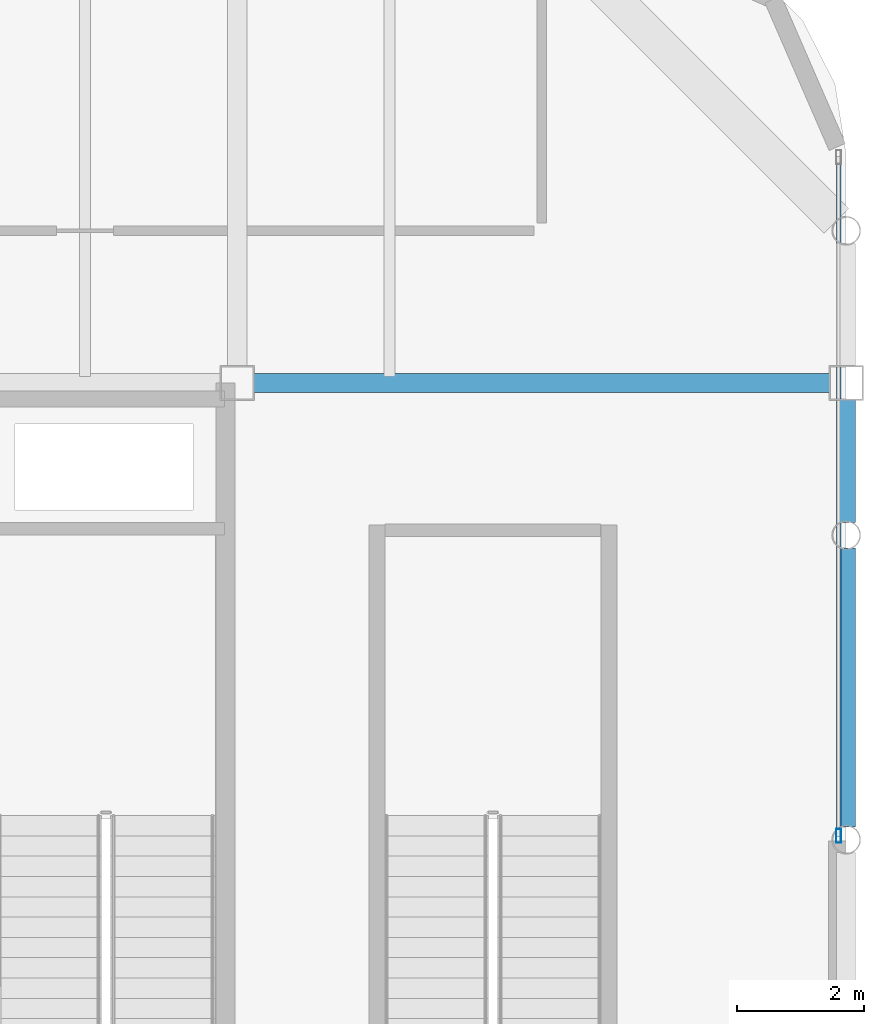
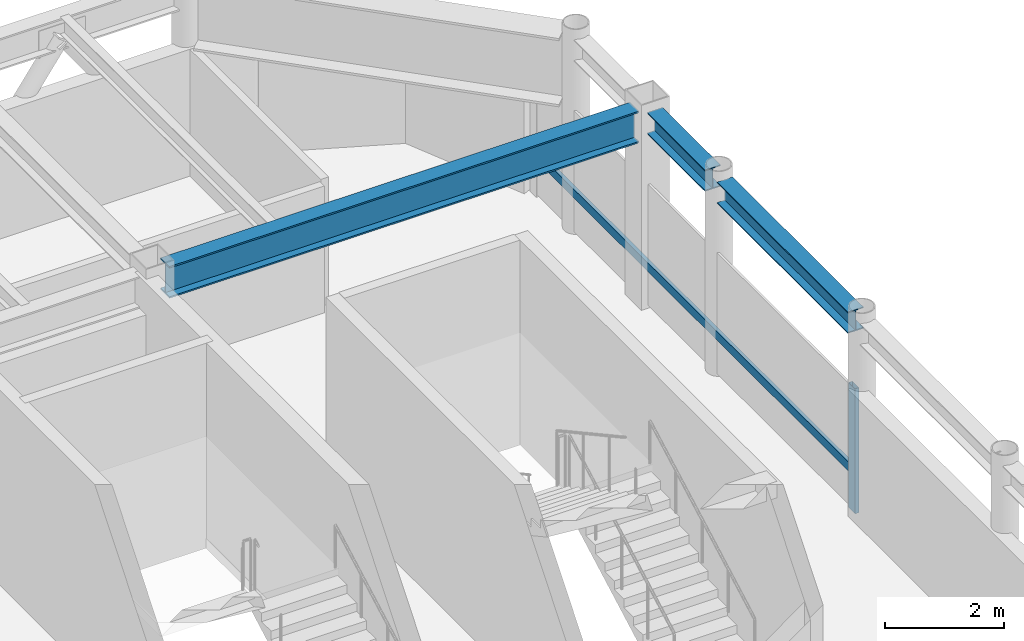
# One storey, part 11 of 21: 3 beams, 2 members, 1 element without a shape of its own.
"""IFC4 building model written with IfcOpenShell, lengths in metres."""

from ifc_helpers import new_model, si_unit, direction, frame, origin, origin_2d, place, context, subcontext, project, spatial, hollow_rectangle, i_section, extrude, material, layer, layer_set, material_profile, profile_set, type_object, element, aggregate, save


model = new_model("IFC4")

# Units and contexts
model_context = context("Model", 3, precision=1e-05, world=origin(), true_north=direction((0.0, 1.0)))
body_context = subcontext(model_context, "Body", "Model", "MODEL_VIEW")
ifc_project = project(units=[si_unit("LENGTHUNIT", "METRE"), si_unit("AREAUNIT", "SQUARE_METRE"), si_unit("VOLUMEUNIT", "CUBIC_METRE"), si_unit("PLANEANGLEUNIT", "RADIAN"), si_unit("MASSUNIT", "GRAM", prefix="KILO")], contexts=[model_context])

# Site, building, storey
site_placement = place(None, origin())
site = spatial("IfcSite", under=ifc_project, at=site_placement, CompositionType="ELEMENT")
building_placement = place(site_placement, origin())
building = spatial("IfcBuilding", under=site, at=building_placement, Name="Kallvorn Hotel Tower", CompositionType="ELEMENT")
storey_placement = place(building_placement, frame((0.0, 0.0, 286.39990234375)))
storey = spatial("IfcBuildingStorey", under=building, at=storey_placement, Name="L71", CompositionType="ELEMENT", Elevation=286.39990234375)

# Beams
ifc_material_1 = material(Name="Structural steel S355JR", Category="steel")
ifc_material_profile_1 = material_profile(ifc_material_1, i_section(OverallWidth=0.300048828125, OverallDepth=0.43994140625, WebThickness=0.011474609375, FlangeThickness=0.02099609375, at=origin_2d()), Name="HE 450 A")
ifc_profile_set_1 = profile_set([ifc_material_profile_1], Name="Structural steel S355JR")
beam_type_1 = type_object("IfcBeamType", Name="BM_HE450A", PredefinedType="BEAM", material=ifc_profile_set_1)
beam_1_placement = place(storey_placement, frame((24.0, 0.20361328125, 3.780029296875), z_axis=(0.0, 1.0, 0.0), x_axis=(-1.0, 0.0, 0.0)))
element("IfcBeam", 1, at=beam_1_placement, inside=storey, type_object=beam_type_1, Name="L72 Primary Y-Girder 51", PredefinedType="BEAM", context=body_context, shape_type="SweptSolid", body=[
    extrude(i_section(OverallWidth=0.300048828125, OverallDepth=0.43994140625, WebThickness=0.011474609375, FlangeThickness=0.02099609375, at=origin_2d()), origin(), (0.0, 0.0, 1.0), 4.392822265625),
])
beam_2_placement = place(storey_placement, frame((24.0, 5.00341796875, 3.780029296875), z_axis=(0.0, 1.0, 0.0), x_axis=(-1.0, 0.0, 0.0)))
element("IfcBeam", 2, at=beam_2_placement, inside=storey, type_object=beam_type_1, Name="L72 Primary Y-Girder 52", PredefinedType="BEAM", context=body_context, shape_type="SweptSolid", body=[
    extrude(i_section(OverallWidth=0.300048828125, OverallDepth=0.43994140625, WebThickness=0.011474609375, FlangeThickness=0.02099609375, at=origin_2d()), origin(), (0.0, 0.0, 1.0), 1.946533203125),
])
ifc_material_2 = material(Name="Structural steel S355JR", Category="steel")
ifc_material_profile_2 = material_profile(ifc_material_2, i_section(OverallWidth=0.300048828125, OverallDepth=0.64990234375, WebThickness=0.01611328125, FlangeThickness=0.031005859375, at=origin_2d()), Name="HE 650 B")
ifc_profile_set_2 = profile_set([ifc_material_profile_2], Name="Structural steel S355JR")
beam_type_2 = type_object("IfcBeamType", Name="BM_HE650B", PredefinedType="BEAM", material=ifc_profile_set_2)
beam_3_placement = place(storey_placement, frame((14.64990234375, 7.199951171875, 3.675048828125), z_axis=(1.0, 0.0, 0.0), x_axis=(0.0, 1.0, 0.0)))
element("IfcBeam", 3, at=beam_3_placement, inside=storey, type_object=beam_type_2, Name="L72 Primary X-Girder 15", PredefinedType="BEAM", context=body_context, shape_type="SweptSolid", body=[
    extrude(i_section(OverallWidth=0.300048828125, OverallDepth=0.64990234375, WebThickness=0.01611328125, FlangeThickness=0.031005859375, at=origin_2d()), origin(), (0.0, 0.0, 1.0), 9.10009765625),
])

# Curtain wall, members
ifc_material_3 = material(Name="Thermally broken black-anodised aluminium AA 6063-T6", Category="aluminium")
ifc_layer = layer(ifc_material_3, 0.25)
ifc_layer_set = layer_set([ifc_layer], Name="CW_SYS_6_SUMMIT_OBS")
curtain_wall_type = type_object("IfcCurtainWallType", Name="CW_SYS_6_SUMMIT_OBS", PredefinedType="USERDEFINED", material=ifc_layer_set)
curtain_wall_placement = place(storey_placement, origin())
curtain_wall = element("IfcCurtainWall", 4, at=curtain_wall_placement, inside=storey, type_object=curtain_wall_type, Name="L71 Dark-Glass Curtain Wall CW-L71-EN", ObjectType="UNITISED CURTAIN WALL", PredefinedType="USERDEFINED")
ifc_material_4 = material(Name="Thermally broken black-anodised aluminium AA 6063-T6", Category="aluminium")
ifc_material_profile_3 = material_profile(ifc_material_4, hollow_rectangle(XDim=0.080078125, YDim=0.219970703125, WallThickness=0.0048828125, at=origin_2d()), Name="MUL 220x80")
ifc_profile_set_3 = profile_set([ifc_material_profile_3], Name="Thermally broken black-anodised aluminium AA 6063-T6")
member_type_1 = type_object("IfcMemberType", Name="CW_MULLION_220x80", PredefinedType="MULLION", material=ifc_profile_set_3)
member_1_placement = place(storey_placement, frame((23.8798828125, 0.06005859375, 0.02001953125), z_axis=(0.0, 0.0, 1.0), x_axis=(1.0, 0.0, 0.0)))
member_1 = element("IfcMember", 5, at=member_1_placement, type_object=member_type_1, Name="CW-L71-EN Mullion 00", PredefinedType="MULLION", context=body_context, shape_type="SweptSolid", body=[
    extrude(hollow_rectangle(XDim=0.080078125, YDim=0.219970703125, WallThickness=0.0048828125, at=origin_2d()), origin(), (0.0, 0.0, 1.0), 2.56005859375),
])
ifc_material_5 = material(Name="Thermally broken black-anodised aluminium AA 6063-T6", Category="aluminium")
ifc_material_profile_4 = material_profile(ifc_material_5, hollow_rectangle(XDim=0.070068359375, YDim=0.179931640625, WallThickness=0.00390625, at=origin_2d()), Name="TRN 180x70")
ifc_profile_set_4 = profile_set([ifc_material_profile_4], Name="Thermally broken black-anodised aluminium AA 6063-T6")
member_type_2 = type_object("IfcMemberType", Name="CW_TRANSOM_180x70", PredefinedType="USERDEFINED", material=ifc_profile_set_4)
member_2_placement = place(storey_placement, frame((23.8798828125, 0.06005859375, 0.85009765625), z_axis=(0.0, 1.0, 0.0), x_axis=(-1.0, 0.0, 0.0)))
member_2 = element("IfcMember", 6, at=member_2_placement, type_object=member_type_2, Name="CW-L71-EN Transom 00M", ObjectType="TRANSOM", PredefinedType="USERDEFINED", context=body_context, shape_type="SweptSolid", body=[
    extrude(hollow_rectangle(XDim=0.070068359375, YDim=0.179931640625, WallThickness=0.00390625, at=origin_2d()), origin(), (0.0, 0.0, 1.0), 10.699951171875),
])
aggregate(curtain_wall, [member_1, member_2])

save(model, "model.ifc")
